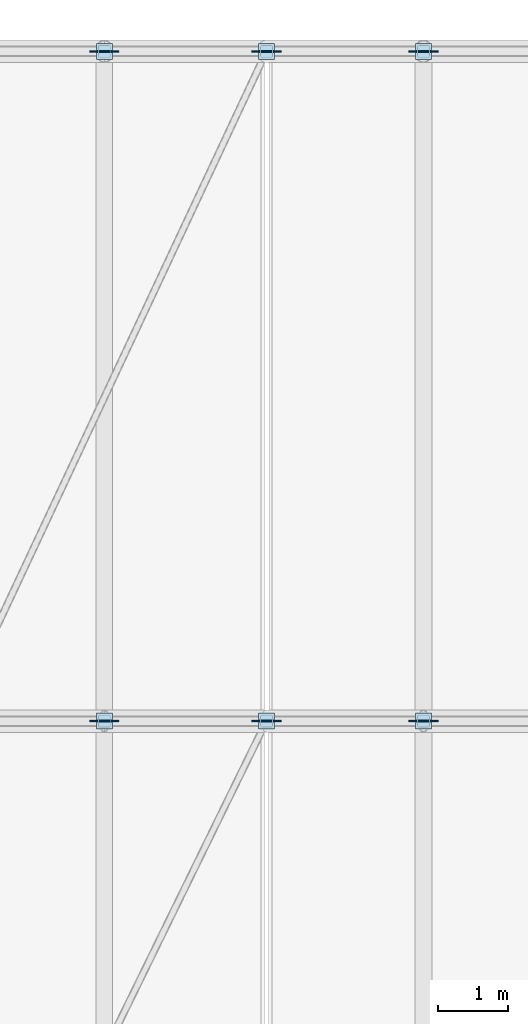
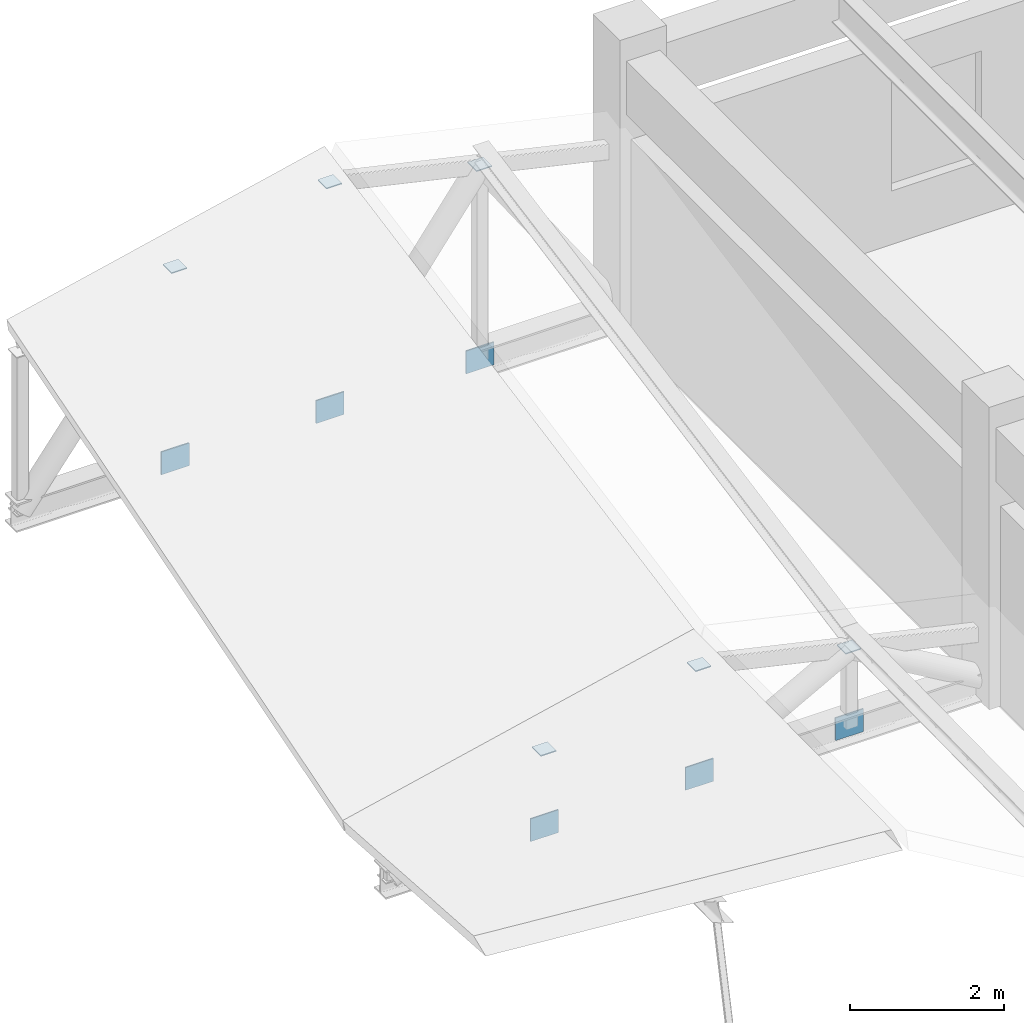
# One storey, part 69 of 90: 12 plates.
"""IFC4 building model written with IfcOpenShell, lengths in metres."""

import ifcopenshell
import ifcopenshell.guid

model = None  # the IFC model being written
_history = None  # IfcOwnerHistory: only IFC2X3 demands one
_inside = {}  # id of a spatial element -> (the spatial element, [elements in it])
_under = {}  # id of a project, library or spatial element -> (it, [spatial elements below it])
_declared = {}  # id of a project -> (the project, [libraries it declares])
_typed = {}  # id of a type object -> (the type object, [elements of that type])
_made_of = {}  # id of a material, layer set ... -> (it, [elements and type objects made of it])


def new_model(schema):
    """Start an empty IFC model of exactly this schema.

    Asked for "IFC4X3", IfcOpenShell would pick the latest addendum, in which some entities
    have other attributes; the version numbers below select the first issue.
    IFC2X3 requires an IfcOwnerHistory on every rooted entity: one is made here for all.
    """
    global model, _history
    if schema == "IFC4X3":
        model = ifcopenshell.file(schema_version=(4, 3, 0, 0))
    else:
        model = ifcopenshell.file(schema=schema)
    _inside.clear()
    _under.clear()
    _declared.clear()
    _typed.clear()
    _made_of.clear()
    _history = None
    if model.schema == "IFC2X3":
        org = make("IfcOrganization", Name="unknown")
        user = make(
            "IfcPersonAndOrganization",
            ThePerson=make("IfcPerson", FamilyName="unknown"),
            TheOrganization=org,
        )
        app = make(
            "IfcApplication",
            ApplicationDeveloper=org,
            Version="unknown",
            ApplicationFullName="unknown",
            ApplicationIdentifier="unknown",
        )
        _history = make(
            "IfcOwnerHistory",
            OwningUser=user,
            OwningApplication=app,
            ChangeAction="ADDED",
            CreationDate=0,
        )
    return model


def make(cls, **values):
    """One entity of the class cls with the attributes given. An attribute that is None is left unset."""
    return model.create_entity(
        cls, **{name: value for name, value in values.items() if value is not None}
    )


def rooted(cls, **values):
    """An entity with a GlobalId (a new one), such as an element, a storey or a relation."""
    return make(cls, GlobalId=ifcopenshell.guid.new(), OwnerHistory=_history, **values)


def si_unit(unit_type, name, prefix=None):
    """IfcSIUnit, for example si_unit("LENGTHUNIT", "METRE", prefix="MILLI")."""
    return make("IfcSIUnit", UnitType=unit_type, Prefix=prefix, Name=name)


def assignment(units):
    """IfcUnitAssignment: the units of a project."""
    return None if units is None else make("IfcUnitAssignment", Units=units)


def point(xyz):
    """IfcCartesianPoint."""
    return None if xyz is None else make("IfcCartesianPoint", Coordinates=xyz)


def direction(xyz):
    """IfcDirection."""
    return None if xyz is None else make("IfcDirection", DirectionRatios=xyz)


def frame(location, z_axis=None, x_axis=None):
    """IfcAxis2Placement3D, a coordinate frame: its origin and axes. An axis left out is left unset."""
    return make(
        "IfcAxis2Placement3D",
        Location=point(location),
        Axis=direction(z_axis),
        RefDirection=direction(x_axis),
    )


def frame_2d(location, x_axis=None):
    """IfcAxis2Placement2D, a coordinate frame in the plane: its origin and x axis."""
    return make(
        "IfcAxis2Placement2D", Location=point(location), RefDirection=direction(x_axis)
    )


def origin():
    """The frame at (0, 0, 0) with its axes left unset."""
    return frame((0.0, 0.0, 0.0))


def origin_2d():
    """The frame at (0, 0) in the plane with its x axis left unset."""
    return frame_2d((0.0, 0.0))


def place(relative_to, where):
    """IfcLocalPlacement: puts the frame where relative to a parent placement (None: the world)."""
    return make(
        "IfcLocalPlacement", PlacementRelTo=relative_to, RelativePlacement=where
    )


def context(
    kind, dimensions, precision=None, world=None, true_north=None, identifier=None
):
    """IfcGeometricRepresentationContext, for example the 3D "Model" context."""
    return make(
        "IfcGeometricRepresentationContext",
        ContextIdentifier=identifier,
        ContextType=kind,
        CoordinateSpaceDimension=dimensions,
        Precision=precision,
        WorldCoordinateSystem=world,
        TrueNorth=true_north,
    )


def subcontext(parent, identifier, kind, view, scale=None):
    """IfcGeometricRepresentationSubContext, for example "Body" below "Model"."""
    return make(
        "IfcGeometricRepresentationSubContext",
        ContextIdentifier=identifier,
        ContextType=kind,
        ParentContext=parent,
        TargetScale=scale,
        TargetView=view,
    )


def project(units=None, contexts=None):
    """IfcProject with its units and contexts."""
    return rooted(
        "IfcProject",
        Name="project",
        RepresentationContexts=contexts,
        UnitsInContext=assignment(units),
    )


def spatial(cls, under=None, at=None, **own):
    """A site, building, storey or space (cls), placed at a placement, below another one or the project."""
    s = rooted(cls, ObjectPlacement=at, **own)
    if under is not None:
        _under.setdefault(under.id(), (under, []))[1].append(s)
    return s


def profile(cls, at=None, kind="AREA", **sizes):
    """A parametric profile (cls). Its sizes go by their IFC names, for example OverallWidth=200.0."""
    return make(cls, ProfileType=kind, Position=at, **sizes)


def rectangle(**sizes):
    """IfcRectangleProfileDef."""
    return profile("IfcRectangleProfileDef", **sizes)


def extrude(swept, where, along, depth):
    """IfcExtrudedAreaSolid: the profile swept, set in the frame where, extruded along a direction by depth."""
    return make(
        "IfcExtrudedAreaSolid",
        SweptArea=swept,
        Position=where,
        ExtrudedDirection=direction(along),
        Depth=depth,
    )


def shape(context_of_items, identifier, shape_type, items):
    """IfcShapeRepresentation: the items that make up one representation, for example the "Body"."""
    return make(
        "IfcShapeRepresentation",
        ContextOfItems=context_of_items,
        RepresentationIdentifier=identifier,
        RepresentationType=shape_type,
        Items=items,
    )


def material(Name=None, Category=None):
    """IfcMaterial."""
    return make("IfcMaterial", Name=Name, Category=Category)


def layer(
    of_material, thickness, ventilated=None, Name=None, Category=None, Priority=None
):
    """IfcMaterialLayer: one layer of a wall or slab, of a material (None: an air gap)."""
    return make(
        "IfcMaterialLayer",
        Material=of_material,
        LayerThickness=thickness,
        IsVentilated=ventilated,
        Name=Name,
        Category=Category,
        Priority=Priority,
    )


def layer_set(layers, Name=None):
    """IfcMaterialLayerSet."""
    return make("IfcMaterialLayerSet", MaterialLayers=layers, LayerSetName=Name)


def made_of(thing, what):
    """Note that an element or type object is made of a material, layer set ...; save() writes the relation."""
    if what is not None:
        _made_of.setdefault(what.id(), (what, []))[1].append(thing)
    return thing


def type_object(cls, material=None, **own):
    """A type object (cls), such as IfcWallType, which elements share."""
    return made_of(rooted(cls, **own), material)


def element(
    cls,
    number,
    at=None,
    inside=None,
    cuts=None,
    type_object=None,
    material=None,
    context=None,
    identifier="Body",
    shape_type=None,
    held_by="IfcProductDefinitionShape",
    body=None,
    shapes=None,
    **own,
):
    """One element of the class cls, such as IfcWall. Its Tag is "e" and its number.

    at: its placement. inside: the storey or other place that contains it. cuts: it is an
    opening in that element (IfcRelVoidsElement). A single representation is given by context,
    identifier, shape_type and body (its items); several are given by shapes. held_by: the class
    of the entity that holds the representations. save() writes the other relations.
    """
    e = rooted(cls, Tag="e%d" % number, ObjectPlacement=at, **own)
    if body is not None:
        shapes = [shape(context, identifier, shape_type, body)]
    if shapes is not None:
        e.Representation = make(held_by, Representations=shapes)
    if inside is not None:
        _inside.setdefault(inside.id(), (inside, []))[1].append(e)
    if cuts is not None:
        rooted(
            "IfcRelVoidsElement", RelatingBuildingElement=cuts, RelatedOpeningElement=e
        )
    if type_object is not None:
        _typed.setdefault(type_object.id(), (type_object, []))[1].append(e)
    return made_of(e, material)


def aggregate(whole, parts):
    """IfcRelAggregates: a whole, such as a stair, and the parts it consists of."""
    return rooted("IfcRelAggregates", RelatingObject=whole, RelatedObjects=parts)


def save(model, path):
    """Write the relations noted so far, then the file.

    IfcRelAggregates (storeys below a building ...), IfcRelContainedInSpatialStructure (elements
    in a storey), IfcRelDefinesByType, IfcRelAssociatesMaterial and IfcRelDeclares: one each for
    every whole, place, type object, material and project.
    """
    for whole, parts in _under.values():
        aggregate(whole, parts)
    for where, things in _inside.values():
        rooted(
            "IfcRelContainedInSpatialStructure",
            RelatedElements=things,
            RelatingStructure=where,
        )
    for kind, things in _typed.values():
        rooted("IfcRelDefinesByType", RelatedObjects=things, RelatingType=kind)
    for what, things in _made_of.values():
        rooted("IfcRelAssociatesMaterial", RelatedObjects=things, RelatingMaterial=what)
    for by, libraries in _declared.values():
        rooted("IfcRelDeclares", RelatingContext=by, RelatedDefinitions=libraries)
    model.write(path)


model = new_model("IFC4")

# Units and contexts
model_context = context("Model", 3, precision=1e-05, world=origin(), true_north=direction((0.0, 1.0)))
body_context = subcontext(model_context, "Body", "Model", "MODEL_VIEW")
ifc_project = project(units=[si_unit("LENGTHUNIT", "METRE"), si_unit("AREAUNIT", "SQUARE_METRE"), si_unit("VOLUMEUNIT", "CUBIC_METRE"), si_unit("PLANEANGLEUNIT", "RADIAN"), si_unit("MASSUNIT", "GRAM", prefix="KILO")], contexts=[model_context])

# Site, building, storey
site_placement = place(None, origin())
site = spatial("IfcSite", under=ifc_project, at=site_placement, CompositionType="ELEMENT")
building_placement = place(site_placement, origin())
building = spatial("IfcBuilding", under=site, at=building_placement, Name="Bozkorgan Art Gallery", CompositionType="ELEMENT")
storey_placement = place(building_placement, frame((0.0, 0.0, 5.39990234375)))
storey = spatial("IfcBuildingStorey", under=building, at=storey_placement, Name="L01", CompositionType="ELEMENT", Elevation=5.39990234375)

# Plates
ifc_material = material(Name="Steel S355J2", Category="steel")
ifc_layer_1 = layer(ifc_material, 0.01611328125, Name="Steel S355J2")
ifc_layer_set_1 = layer_set([ifc_layer_1], Name="Steel S355J2")
plate_type_1 = type_object("IfcPlateType", Name="PLATE-EC-05", PredefinedType="USERDEFINED", material=ifc_layer_set_1)
for number, where, z_axis, x_axis, name in (
    (1, (130.175048828125, 102.800048828125, 1.427978515625), (0.0, 0.0, 1.0), (1.0, 0.0, 0.0), "Truss V5 post cap 5.1"),
    (2, (132.5, 102.800048828125, 1.9560546875), (0.0, 0.0, 1.0), (1.0, 0.0, 0.0), "Truss V5 post cap 5.2"),
    (3, (134.75, 102.800048828125, 1.44482421875), (0.0, 0.0, 1.0), (1.0, 0.0, 0.0), "Truss V5 post cap 5.3"),
    (4, (130.175048828125, 112.39990234375, 3.26513671875), (0.0, 0.0, 1.0), (1.0, 0.0, 0.0), "Truss V5 post cap 6.1"),
    (5, (132.5, 112.39990234375, 3.79345703125), (0.0, 0.0, 1.0), (1.0, 0.0, 0.0), "Truss V5 post cap 6.2"),
    (6, (134.75, 112.39990234375, 3.2822265625), (0.0, 0.0, 1.0), (1.0, 0.0, 0.0), "Truss V5 post cap 6.3"),
):
    element("IfcPlate", number, at=place(storey_placement, frame(where, z_axis=z_axis, x_axis=x_axis)), inside=storey, type_object=plate_type_1, Name=name, ObjectType="END CAP PLATE", PredefinedType="USERDEFINED", context=body_context, shape_type="SweptSolid", body=[
        extrude(rectangle(XDim=0.22998046875, YDim=0.22998046875, at=origin_2d()), origin(), (0.0, 0.0, 1.0), 0.01611328125),
    ])
ifc_layer_2 = layer(ifc_material, 0.02392578125, Name="Steel S355J2")
ifc_layer_set_2 = layer_set([ifc_layer_2], Name="Steel S355J2")
plate_type_2 = type_object("IfcPlateType", Name="PLATE-GP-38", PredefinedType="USERDEFINED", material=ifc_layer_set_2)
for number, where, z_axis, x_axis, name in (
    (7, (132.5, 102.800048828125, 0.044921875), (0.0, 0.0, 1.0), (1.0, 0.0, 0.0), "Truss V5 span 5 node gusset TN-2"),
    (8, (132.5, 112.39990234375, 0.044921875), (0.0, 0.0, 1.0), (1.0, 0.0, 0.0), "Truss V5 span 6 node gusset TN-2"),
):
    element("IfcPlate", number, at=place(storey_placement, frame(where, z_axis=z_axis, x_axis=x_axis)), inside=storey, type_object=plate_type_2, Name=name, ObjectType="GUSSET PLATE", PredefinedType="USERDEFINED", context=body_context, shape_type="SweptSolid", body=[
        extrude(rectangle(XDim=0.419921875, YDim=0.02001953125, at=origin_2d()), origin(), (0.0, 0.0, 1.0), 0.360107421875),
    ])
ifc_layer_3 = layer(ifc_material, 0.02001953125, Name="Steel S355J2")
ifc_layer_set_3 = layer_set([ifc_layer_3], Name="Steel S355J2")
plate_type_3 = type_object("IfcPlateType", Name="PLATE-GP-55", PredefinedType="USERDEFINED", material=ifc_layer_set_3)
for number, where, z_axis, x_axis, name in (
    (9, (130.175048828125, 102.800048828125, 0.044921875), (0.0, 0.0, 1.0), (1.0, 0.0, 0.0), "Truss V5 span 5 node gusset TN-1"),
    (10, (134.75, 102.800048828125, 0.044921875), (0.0, 0.0, 1.0), (1.0, 0.0, 0.0), "Truss V5 span 5 node gusset TN-3"),
    (11, (130.175048828125, 112.39990234375, 0.044921875), (0.0, 0.0, 1.0), (1.0, 0.0, 0.0), "Truss V5 span 6 node gusset TN-1"),
    (12, (134.75, 112.39990234375, 0.044921875), (0.0, 0.0, 1.0), (1.0, 0.0, 0.0), "Truss V5 span 6 node gusset TN-3"),
):
    element("IfcPlate", number, at=place(storey_placement, frame(where, z_axis=z_axis, x_axis=x_axis)), inside=storey, type_object=plate_type_3, Name=name, ObjectType="GUSSET PLATE", PredefinedType="USERDEFINED", context=body_context, shape_type="SweptSolid", body=[
        extrude(rectangle(XDim=0.419921875, YDim=0.02001953125, at=origin_2d()), origin(), (0.0, 0.0, 1.0), 0.360107421875),
    ])

save(model, "model.ifc")
